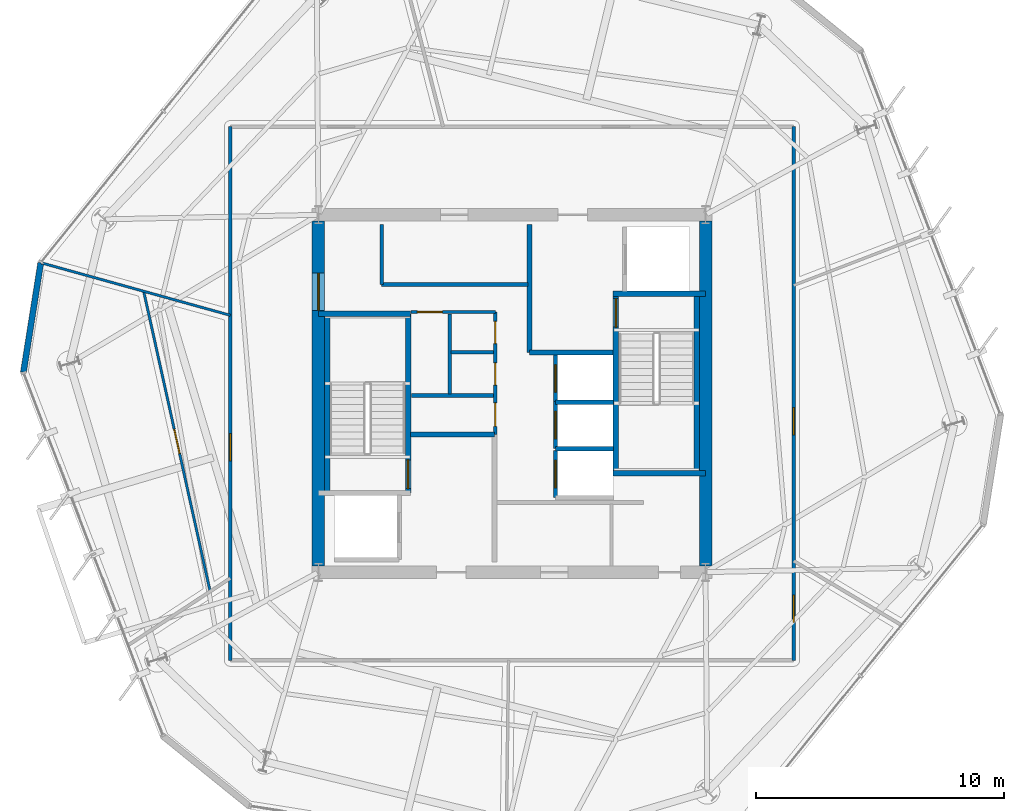
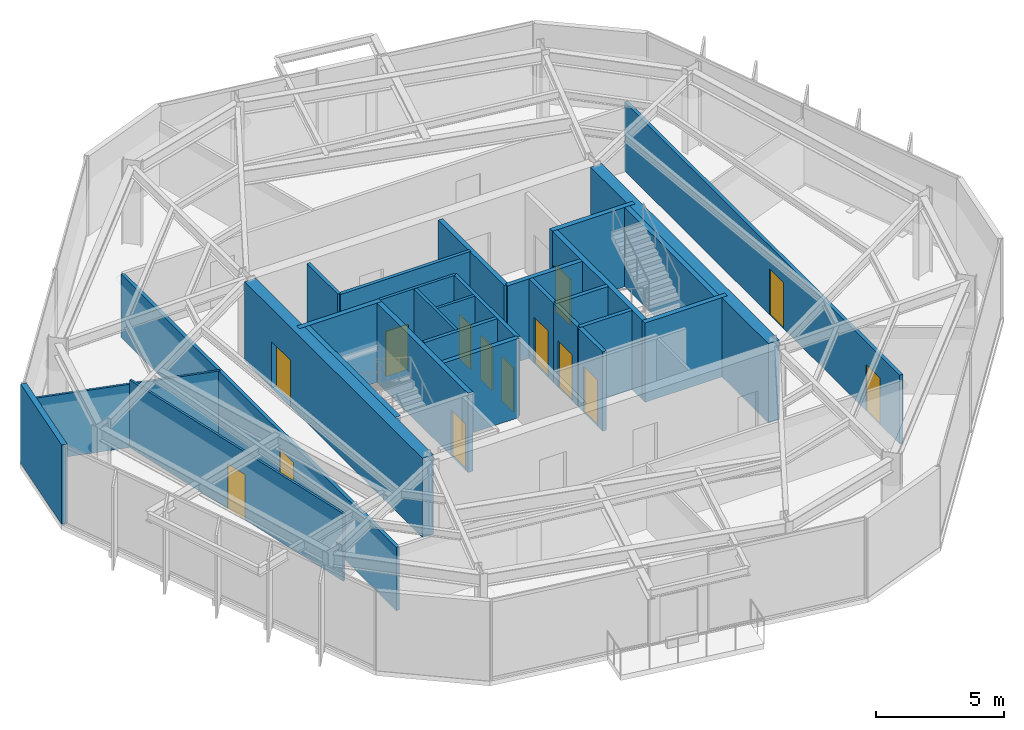
# One storey, part 7 of 11: 29 walls, 14 doors, 14 openings.
"""IFC4 building model written with IfcOpenShell, lengths in metres."""

from ifc_helpers import new_model, si_unit, direction, frame, frame_2d, origin, place, context, subcontext, project, spatial, rectangle, extrude, material, layer, layer_set, type_object, element, fill, save


model = new_model("IFC4")

# Units and contexts
model_context = context("Model", 3, precision=1e-05, world=origin(), true_north=direction((0.0, 1.0)))
body_context = subcontext(model_context, "Body", "Model", "MODEL_VIEW")
ifc_project = project(units=[si_unit("LENGTHUNIT", "METRE"), si_unit("AREAUNIT", "SQUARE_METRE"), si_unit("VOLUMEUNIT", "CUBIC_METRE"), si_unit("PLANEANGLEUNIT", "RADIAN"), si_unit("MASSUNIT", "GRAM", prefix="KILO")], contexts=[model_context])

# Site, building, storey
site_placement = place(None, origin())
site = spatial("IfcSite", under=ifc_project, at=site_placement, CompositionType="ELEMENT")
building_placement = place(site_placement, origin())
building = spatial("IfcBuilding", under=site, at=building_placement, Name="Kranzbogen Civic Tower", CompositionType="ELEMENT")
storey_placement = place(building_placement, frame((0.0, 0.0, 228.800048828125)))
storey = spatial("IfcBuildingStorey", under=building, at=storey_placement, Name="L55", CompositionType="ELEMENT", Elevation=228.800048828125)

# Walls
ifc_material_1 = material(Name="Double-Stud Acoustic Gypsum Partition")
ifc_layer_1 = layer(ifc_material_1, 0.14990234375, Name="Double-Stud Acoustic Gypsum Partition")
ifc_layer_set_1 = layer_set([ifc_layer_1], Name="Double-Stud Acoustic Gypsum Partition")
wall_type_1 = type_object("IfcWallType", Name="Acoustic Corridor and Clinical Partition 150 mm", PredefinedType="PARTITIONING", material=ifc_layer_set_1)
wall_1_placement = place(storey_placement, frame((19.75, 29.389892578125, 0.0), z_axis=(0.0, 0.0, 1.0), x_axis=(1.0, 0.0, 0.0)))
element("IfcWall", 1, at=wall_1_placement, inside=storey, type_object=wall_type_1, Name="L55 digital comms South wall", PredefinedType="PARTITIONING", context=body_context, shape_type="SweptSolid", body=[
    extrude(rectangle(XDim=5.89990234375, YDim=0.14990234375, at=frame_2d((2.949951171875, 0.0))), origin(), (0.0, 0.0, 1.0), 3.780029296875),
])
wall_2_placement = place(storey_placement, frame((19.75, 29.389892578125, 0.0), z_axis=(0.0, 0.0, 1.0), x_axis=(0.0, 1.0, 0.0)))
element("IfcWall", 2, at=wall_2_placement, inside=storey, type_object=wall_type_1, Name="L55 digital comms West wall", PredefinedType="PARTITIONING", context=body_context, shape_type="SweptSolid", body=[
    extrude(rectangle(XDim=2.41015625, YDim=0.14990234375, at=frame_2d((1.205078125, 0.0))), origin(), (0.0, 0.0, 1.0), 3.780029296875),
])

# Wall, openings, doors
wall_3_placement = place(storey_placement, frame((36.35009765625, 35.75, 0.0), z_axis=(0.0, 0.0, 1.0), x_axis=(0.0, -1.0, 0.0)))
wall_3 = element("IfcWall", 3, at=wall_3_placement, inside=storey, type_object=wall_type_1, Name="L55 corridor partition 02", PredefinedType="PARTITIONING", context=body_context, shape_type="SweptSolid", body=[
    extrude(rectangle(XDim=21.5, YDim=0.14990234375, at=frame_2d((10.75, 0.0))), origin(), (0.0, 0.0, 1.0), 3.280029296875),
])
opening_1_placement = place(wall_3_placement, frame((18.876953125, 0.0, 0.0)))
opening_1 = element("IfcOpeningElement", 4, at=opening_1_placement, cuts=wall_3, Name="Opening D-COR60", PredefinedType="OPENING", context=body_context, shape_type="SweptSolid", body=[
    extrude(rectangle(XDim=1.10009765625, YDim=2.199951171875, at=frame_2d((0.550048828125, 1.10009765625))), frame((0.0, 0.0849609375, 0.0), z_axis=(0.0, -1.0, 0.0), x_axis=(1.0, 0.0, 0.0)), (0.0, 0.0, 1.0), 0.169921875),
])
opening_2_placement = place(wall_3_placement, frame((11.318115234375, 0.0, 0.0)))
opening_2 = element("IfcOpeningElement", 5, at=opening_2_placement, cuts=wall_3, Name="Opening D-COR60", PredefinedType="OPENING", context=body_context, shape_type="SweptSolid", body=[
    extrude(rectangle(XDim=1.10009765625, YDim=2.199951171875, at=frame_2d((0.550048828125, 1.10009765625))), frame((0.0, 0.0849609375, 0.0), z_axis=(0.0, -1.0, 0.0), x_axis=(1.0, 0.0, 0.0)), (0.0, 0.0, 1.0), 0.169921875),
])
ifc_material_2 = material(Name="Oak Timber and Fire Core", Category="wood")
door_type_1 = type_object("IfcDoorType", Name="Corridor Acoustic Fire Door 1100x2200", OperationType="NOTDEFINED", PredefinedType="DOOR", material=ifc_material_2)
door_1_placement = place(opening_1_placement, origin())
door_1 = element("IfcDoor", 6, at=door_1_placement, inside=storey, type_object=door_type_1, Name="L55 Public Delegation Reception door", OperationType="SINGLE_SWING_LEFT", OverallHeight=2.199951171875, OverallWidth=1.10009765625, PredefinedType="DOOR", context=body_context, shape_type="SweptSolid", body=[
    extrude(rectangle(XDim=1.10009765625, YDim=2.199951171875, at=frame_2d((0.550048828125, 1.10009765625))), frame((0.0, 0.02490234375, 0.0), z_axis=(0.0, -1.0, 0.0), x_axis=(1.0, 0.0, 0.0)), (0.0, 0.0, 1.0), 0.050048828125),
])
fill(opening_1, door_1)
door_2_placement = place(opening_2_placement, origin())
door_2 = element("IfcDoor", 7, at=door_2_placement, inside=storey, type_object=door_type_1, Name="L55 Visitor Concierge Foyer door", OperationType="SINGLE_SWING_RIGHT", OverallHeight=2.199951171875, OverallWidth=1.10009765625, PredefinedType="DOOR", context=body_context, shape_type="SweptSolid", body=[
    extrude(rectangle(XDim=1.10009765625, YDim=2.199951171875, at=frame_2d((0.550048828125, 1.10009765625))), frame((0.0, 0.02490234375, 0.0), z_axis=(0.0, -1.0, 0.0), x_axis=(1.0, 0.0, 0.0)), (0.0, 0.0, 1.0), 0.050048828125),
])
fill(opening_2, door_2)

# Wall, opening, door
wall_4_placement = place(storey_placement, frame((13.64990234375, 14.25, 0.0), z_axis=(0.0, 0.0, 1.0), x_axis=(0.0, 1.0, 0.0)))
wall_4 = element("IfcWall", 8, at=wall_4_placement, inside=storey, type_object=wall_type_1, Name="L55 corridor partition 04", PredefinedType="PARTITIONING", context=body_context, shape_type="SweptSolid", body=[
    extrude(rectangle(XDim=21.5, YDim=0.14990234375, at=frame_2d((10.75, 0.0))), origin(), (0.0, 0.0, 1.0), 3.02001953125),
])
opening_3_placement = place(wall_4_placement, frame((8.035888671875, 0.0, 0.0)))
opening_3 = element("IfcOpeningElement", 9, at=opening_3_placement, cuts=wall_4, Name="Opening D-COR60", PredefinedType="OPENING", context=body_context, shape_type="SweptSolid", body=[
    extrude(rectangle(XDim=1.10009765625, YDim=2.199951171875, at=frame_2d((0.550048828125, 1.10009765625))), frame((0.0, 0.0849609375, 0.0), z_axis=(0.0, -1.0, 0.0), x_axis=(1.0, 0.0, 0.0)), (0.0, 0.0, 1.0), 0.169921875),
])
door_3_placement = place(opening_3_placement, origin())
door_3 = element("IfcDoor", 10, at=door_3_placement, inside=storey, type_object=door_type_1, Name="L55 Delegates Sitting Lounge door", OperationType="SINGLE_SWING_RIGHT", OverallHeight=2.199951171875, OverallWidth=1.10009765625, PredefinedType="DOOR", context=body_context, shape_type="SweptSolid", body=[
    extrude(rectangle(XDim=1.10009765625, YDim=2.199951171875, at=frame_2d((0.550048828125, 1.10009765625))), frame((0.0, 0.02490234375, 0.0), z_axis=(0.0, -1.0, 0.0), x_axis=(1.0, 0.0, 0.0)), (0.0, 0.0, 1.0), 0.050048828125),
])
fill(opening_3, door_3)

ifc_material_3 = material(Name="Insulated Metal-Stud Gypsum Partition")
ifc_layer_2 = layer(ifc_material_3, 0.125, Name="Insulated Metal-Stud Gypsum Partition")
ifc_layer_set_2 = layer_set([ifc_layer_2], Name="Insulated Metal-Stud Gypsum Partition")
wall_type_2 = type_object("IfcWallType", Name="Acoustic Inter-Room Partition 125 mm", PredefinedType="PARTITIONING", material=ifc_layer_set_2)
wall_5_placement = place(storey_placement, frame((20.919921875, 28.280029296875, 0.0), z_axis=(0.0, 0.0, 1.0), x_axis=(1.0, 0.0, 0.0)))
wall_5 = element("IfcWall", 11, at=wall_5_placement, inside=storey, type_object=wall_type_2, Name="L55 core auxiliary North wall", PredefinedType="PARTITIONING", context=body_context, shape_type="SweptSolid", body=[
    extrude(rectangle(XDim=3.405029296875, YDim=0.125, at=frame_2d((1.70263671875, 0.0))), origin(), (0.0, 0.0, 1.0), 3.780029296875),
])
opening_4_placement = place(wall_5_placement, frame((0.27001953125, 0.0, 0.0)))
opening_4 = element("IfcOpeningElement", 12, at=opening_4_placement, cuts=wall_5, Name="Opening D-RSR10", PredefinedType="OPENING", context=body_context, shape_type="SweptSolid", body=[
    extrude(rectangle(XDim=1.0, YDim=2.14990234375, at=frame_2d((0.5, 1.074951171875))), frame((0.0, 0.072509765625, 0.0), z_axis=(0.0, -1.0, 0.0), x_axis=(1.0, 0.0, 0.0)), (0.0, 0.0, 1.0), 0.14501953125),
])
door_type_2 = type_object("IfcDoorType", Name="Core Archive and Riser Fire Door 1000x2150", OperationType="NOTDEFINED", PredefinedType="DOOR", material=ifc_material_2)
door_4_placement = place(opening_4_placement, origin())
door_4 = element("IfcDoor", 13, at=door_4_placement, inside=storey, type_object=door_type_2, Name="L55 Floor Supply Store door", OperationType="SINGLE_SWING_RIGHT", OverallHeight=2.14990234375, OverallWidth=1.0, PredefinedType="DOOR", context=body_context, shape_type="SweptSolid", body=[
    extrude(rectangle(XDim=1.0, YDim=2.14990234375, at=frame_2d((0.5, 1.074951171875))), frame((0.0, 0.02490234375, 0.0), z_axis=(0.0, -1.0, 0.0), x_axis=(1.0, 0.0, 0.0)), (0.0, 0.0, 1.0), 0.050048828125),
])
fill(opening_4, door_4)

# Walls
wall_6_placement = place(storey_placement, frame((22.489990234375, 24.969970703125, 0.0), z_axis=(0.0, 0.0, 1.0), x_axis=(0.0, 1.0, 0.0)))
element("IfcWall", 14, at=wall_6_placement, inside=storey, type_object=wall_type_2, Name="L55 core auxiliary partition 3", PredefinedType="PARTITIONING", context=body_context, shape_type="SweptSolid", body=[
    extrude(rectangle(XDim=3.22998046875, YDim=0.125, at=frame_2d((1.614990234375, 0.0))), origin(), (0.0, 0.0, 1.0), 3.780029296875),
])
wall_7_placement = place(storey_placement, frame((22.550048828125, 26.659912109375, 0.0), z_axis=(0.0, 0.0, 1.0), x_axis=(1.0, 0.0, 0.0)))
element("IfcWall", 15, at=wall_7_placement, inside=storey, type_object=wall_type_2, Name="L55 core auxiliary partition 4", PredefinedType="PARTITIONING", context=body_context, shape_type="SweptSolid", body=[
    extrude(rectangle(XDim=1.699951171875, YDim=0.125, at=frame_2d((0.85009765625, 0.0))), origin(), (0.0, 0.0, 1.0), 3.780029296875),
])

# Wall, opening, door
ifc_material_4 = material(Name="Concrete C45/55", Category="concrete")
ifc_layer_3 = layer(ifc_material_4, 0.5, Name="Concrete C45/55")
ifc_layer_set_3 = layer_set([ifc_layer_3], Name="Concrete C45/55")
wall_type_3 = type_object("IfcWallType", Name="Central Core Shear Wall 500 mm", PredefinedType="SHEAR", material=ifc_layer_set_3)
wall_8_placement = place(storey_placement, frame((17.199951171875, 31.949951171875, 0.0), z_axis=(0.0, 0.0, 1.0), x_axis=(0.0, -1.0, 0.0)))
wall_8 = element("IfcWall", 16, at=wall_8_placement, inside=storey, type_object=wall_type_3, Name="L55 central core West shear wall", PredefinedType="SHEAR", context=body_context, shape_type="SweptSolid", body=[
    extrude(rectangle(XDim=13.89990234375, YDim=0.5, at=frame_2d((6.949951171875, 0.0))), origin(), (0.0, 0.0, 1.0), 3.780029296875),
])
opening_5_placement = place(wall_8_placement, frame((2.10009765625, 0.0, 0.0)))
opening_5 = element("IfcOpeningElement", 17, at=opening_5_placement, cuts=wall_8, Name="Opening D-DBL15", PredefinedType="OPENING", context=body_context, shape_type="SweptSolid", body=[
    extrude(rectangle(XDim=1.5, YDim=2.199951171875, at=frame_2d((0.75, 1.10009765625))), frame((0.0, 0.260009765625, 0.0), z_axis=(0.0, -1.0, 0.0), x_axis=(1.0, 0.0, 0.0)), (0.0, 0.0, 1.0), 0.52001953125),
])
ifc_material_5 = material(Name="Anodised Bronze and Glass", Category="glass")
door_type_3 = type_object("IfcDoorType", Name="Civic Lobby Double Door 1500x2200", OperationType="DOUBLE_DOOR_SINGLE_SWING", PredefinedType="DOOR", material=ifc_material_5)
door_5_placement = place(opening_5_placement, origin())
door_5 = element("IfcDoor", 18, at=door_5_placement, inside=storey, type_object=door_type_3, Name="L55 Central Lift Lobby West concourse door", OperationType="DOUBLE_DOOR_SINGLE_SWING", OverallHeight=2.199951171875, OverallWidth=1.5, PredefinedType="DOOR", context=body_context, shape_type="SweptSolid", body=[
    extrude(rectangle(XDim=1.5, YDim=2.199951171875, at=frame_2d((0.75, 1.10009765625))), frame((0.0, 0.02490234375, 0.0), z_axis=(0.0, -1.0, 0.0), x_axis=(1.0, 0.0, 0.0)), (0.0, 0.0, 1.0), 0.050048828125),
])
fill(opening_5, door_5)

# Wall
wall_9_placement = place(storey_placement, frame((32.800048828125, 18.050048828125, 0.0), z_axis=(0.0, 0.0, 1.0), x_axis=(0.0, 1.0, 0.0)))
element("IfcWall", 19, at=wall_9_placement, inside=storey, type_object=wall_type_3, Name="L55 central core East shear wall", PredefinedType="SHEAR", context=body_context, shape_type="SweptSolid", body=[
    extrude(rectangle(XDim=13.89990234375, YDim=0.5, at=frame_2d((6.949951171875, 0.0))), origin(), (0.0, 0.0, 1.0), 3.780029296875),
])

# Wall, opening, door
ifc_layer_4 = layer(ifc_material_4, 0.219970703125, Name="Concrete C45/55")
ifc_layer_set_4 = layer_set([ifc_layer_4], Name="Concrete C45/55")
wall_type_4 = type_object("IfcWallType", Name="Core Internal Stair Structural Wall 220 mm", PredefinedType="SOLIDWALL", material=ifc_layer_set_4)
wall_10_placement = place(storey_placement, frame((20.81005859375, 20.989990234375, 0.0), z_axis=(0.0, 0.0, 1.0), x_axis=(0.0, 1.0, 0.0)))
wall_10 = element("IfcWall", 20, at=wall_10_placement, inside=storey, type_object=wall_type_4, Name="L55 ST-T1 East structural stair wall", PredefinedType="SOLIDWALL", context=body_context, shape_type="SweptSolid", body=[
    extrude(rectangle(XDim=7.219970703125, YDim=0.219970703125, at=frame_2d((3.60986328125, 0.0))), origin(), (0.0, 0.0, 1.0), 3.780029296875),
])
opening_6_placement = place(wall_10_placement, frame((0.179931640625, 0.0, 0.0)))
opening_6 = element("IfcOpeningElement", 21, at=opening_6_placement, cuts=wall_10, Name="Opening D-ST90", PredefinedType="OPENING", context=body_context, shape_type="SweptSolid", body=[
    extrude(rectangle(XDim=1.14990234375, YDim=2.199951171875, at=frame_2d((0.574951171875, 1.10009765625))), frame((0.0, 0.1201171875, 0.0), z_axis=(0.0, -1.0, 0.0), x_axis=(1.0, 0.0, 0.0)), (0.0, 0.0, 1.0), 0.239990234375),
])
ifc_material_6 = material(Name="Steel S355", Category="steel")
door_type_4 = type_object("IfcDoorType", Name="Pressurized Stair and Lobby Fire Door 1150x2200", OperationType="NOTDEFINED", PredefinedType="DOOR", material=ifc_material_6)
door_6_placement = place(opening_6_placement, origin())
door_6 = element("IfcDoor", 22, at=door_6_placement, inside=storey, type_object=door_type_4, Name="L55 Stair ST-T1 fire door", OperationType="SINGLE_SWING_LEFT", OverallHeight=2.199951171875, OverallWidth=1.14990234375, PredefinedType="DOOR", context=body_context, shape_type="SweptSolid", body=[
    extrude(rectangle(XDim=1.14990234375, YDim=2.199951171875, at=frame_2d((0.574951171875, 1.10009765625))), frame((0.0, 0.02490234375, 0.0), z_axis=(0.0, -1.0, 0.0), x_axis=(1.0, 0.0, 0.0)), (0.0, 0.0, 1.0), 0.050048828125),
])
fill(opening_6, door_6)

# Walls
wall_11_placement = place(storey_placement, frame((17.199951171875, 28.2099609375, 0.0), z_axis=(0.0, 0.0, 1.0), x_axis=(1.0, 0.0, 0.0)))
element("IfcWall", 23, at=wall_11_placement, inside=storey, type_object=wall_type_4, Name="L55 ST-T1 North structural stair wall", PredefinedType="SOLIDWALL", context=body_context, shape_type="SweptSolid", body=[
    extrude(rectangle(XDim=3.719970703125, YDim=0.219970703125, at=frame_2d((1.85986328125, 0.0))), origin(), (0.0, 0.0, 1.0), 3.780029296875),
])
wall_12_placement = place(storey_placement, frame((17.554931640625, 28.2099609375, 0.0), z_axis=(0.0, 0.0, 1.0), x_axis=(0.0, -1.0, 0.0)))
element("IfcWall", 24, at=wall_12_placement, inside=storey, type_object=wall_type_4, Name="L55 ST-T1 West structural stair wall", PredefinedType="SOLIDWALL", context=body_context, shape_type="SweptSolid", body=[
    extrude(rectangle(XDim=7.219970703125, YDim=0.219970703125, at=frame_2d((3.60986328125, 0.0))), origin(), (0.0, 0.0, 1.0), 3.780029296875),
])

# Wall, opening, door
wall_13_placement = place(storey_placement, frame((29.18994140625, 21.7900390625, 0.0), z_axis=(0.0, 0.0, 1.0), x_axis=(0.0, 1.0, 0.0)))
wall_13 = element("IfcWall", 25, at=wall_13_placement, inside=storey, type_object=wall_type_4, Name="L55 ST-T2 West structural stair wall", PredefinedType="SOLIDWALL", context=body_context, shape_type="SweptSolid", body=[
    extrude(rectangle(XDim=7.219970703125, YDim=0.219970703125, at=frame_2d((3.60986328125, 0.0))), origin(), (0.0, 0.0, 1.0), 3.780029296875),
])
opening_7_placement = place(wall_13_placement, frame((5.8798828125, 0.0, 0.0)))
opening_7 = element("IfcOpeningElement", 26, at=opening_7_placement, cuts=wall_13, Name="Opening D-ST90", PredefinedType="OPENING", context=body_context, shape_type="SweptSolid", body=[
    extrude(rectangle(XDim=1.14990234375, YDim=2.199951171875, at=frame_2d((0.574951171875, 1.10009765625))), frame((0.0, 0.1201171875, 0.0), z_axis=(0.0, -1.0, 0.0), x_axis=(1.0, 0.0, 0.0)), (0.0, 0.0, 1.0), 0.239990234375),
])
door_7_placement = place(opening_7_placement, origin())
door_7 = element("IfcDoor", 27, at=door_7_placement, inside=storey, type_object=door_type_4, Name="L55 Stair ST-T2 fire door", OperationType="SINGLE_SWING_RIGHT", OverallHeight=2.199951171875, OverallWidth=1.14990234375, PredefinedType="DOOR", context=body_context, shape_type="SweptSolid", body=[
    extrude(rectangle(XDim=1.14990234375, YDim=2.199951171875, at=frame_2d((0.574951171875, 1.10009765625))), frame((0.0, 0.02490234375, 0.0), z_axis=(0.0, -1.0, 0.0), x_axis=(1.0, 0.0, 0.0)), (0.0, 0.0, 1.0), 0.050048828125),
])
fill(opening_7, door_7)

# Walls
for number, where, z_axis, x_axis, name in (
    (28, (29.080078125, 21.7900390625, 0.0), (0.0, 0.0, 1.0), (1.0, 0.0, 0.0), "L55 ST-T2 South structural stair wall"),
    (29, (29.080078125, 29.010009765625, 0.0), (0.0, 0.0, 1.0), (1.0, 0.0, 0.0), "L55 ST-T2 North structural stair wall"),
):
    element("IfcWall", number, at=place(storey_placement, frame(where, z_axis=z_axis, x_axis=x_axis)), inside=storey, type_object=wall_type_4, Name=name, PredefinedType="SOLIDWALL", context=body_context, shape_type="SweptSolid", body=[
        extrude(rectangle(XDim=3.719970703125, YDim=0.219970703125, at=frame_2d((1.85986328125, 0.0))), origin(), (0.0, 0.0, 1.0), 3.780029296875),
    ])
wall_14_placement = place(storey_placement, frame((32.445068359375, 29.010009765625, 0.0), z_axis=(0.0, 0.0, 1.0), x_axis=(0.0, -1.0, 0.0)))
element("IfcWall", 30, at=wall_14_placement, inside=storey, type_object=wall_type_4, Name="L55 ST-T2 East structural stair wall", PredefinedType="SOLIDWALL", context=body_context, shape_type="SweptSolid", body=[
    extrude(rectangle(XDim=7.219970703125, YDim=0.219970703125, at=frame_2d((3.60986328125, 0.0))), origin(), (0.0, 0.0, 1.0), 3.780029296875),
])
ifc_material_7 = material(Name="Demountable Aluminium and Gypsum Partition", Category="aluminium")
ifc_layer_5 = layer(ifc_material_7, 0.10009765625, Name="Demountable Aluminium and Gypsum Partition")
ifc_layer_set_5 = layer_set([ifc_layer_5], Name="Demountable Aluminium and Gypsum Partition")
wall_type_5 = type_object("IfcWallType", Name="Demountable Office Partition 100 mm", PredefinedType="MOVABLE", material=ifc_layer_set_5)
wall_15_placement = place(storey_placement, frame((13.64990234375, 28.14990234375, 0.0), z_axis=(0.0, 0.0, 1.0), x_axis=(-0.963571409142, 0.267451190843, 0.0)))
element("IfcWall", 31, at=wall_15_placement, inside=storey, type_object=wall_type_5, Name="L55 radial room partition 02", PredefinedType="MOVABLE", context=body_context, shape_type="SweptSolid", body=[
    extrude(rectangle(XDim=7.907958984375, YDim=0.10009765625, at=frame_2d((3.9541015625, 0.0))), origin(), (0.0, 0.0, 1.0), 3.02001953125),
])

# Wall, opening, door
wall_16_placement = place(storey_placement, frame((10.162109375, 29.10205078125, 0.0), z_axis=(0.0, 0.0, 1.0), x_axis=(0.216160497281, -0.976357843936, 0.0)))
wall_16 = element("IfcWall", 32, at=wall_16_placement, inside=storey, type_object=wall_type_5, Name="L55 suite chord partition 01", PredefinedType="MOVABLE", context=body_context, shape_type="SweptSolid", body=[
    extrude(rectangle(XDim=12.356201171875, YDim=0.10009765625, at=frame_2d((6.17822265625, 0.0))), origin(), (0.0, 0.0, 1.0), 3.219970703125),
])
opening_8_placement = place(wall_16_placement, frame((5.677978515625, 0.0, 0.0)))
opening_8 = element("IfcOpeningElement", 33, at=opening_8_placement, cuts=wall_16, Name="Opening D-OFC10", PredefinedType="OPENING", context=body_context, shape_type="SweptSolid", body=[
    extrude(rectangle(XDim=1.0, YDim=2.14990234375, at=frame_2d((0.5, 1.074951171875))), frame((0.0, 0.06005859375, 0.0), z_axis=(0.0, -1.0, 0.0), x_axis=(1.0, 0.0, 0.0)), (0.0, 0.0, 1.0), 0.1201171875),
])
ifc_material_8 = material(Name="Oak Timber Veneer", Category="wood")
door_type_5 = type_object("IfcDoorType", Name="Standard Office Acoustic Door 1000x2150", OperationType="NOTDEFINED", PredefinedType="DOOR", material=ifc_material_8)
door_8_placement = place(opening_8_placement, origin())
door_8 = element("IfcDoor", 34, at=door_8_placement, inside=storey, type_object=door_type_5, Name="L55 Executive Research Study door", OperationType="SINGLE_SWING_LEFT", OverallHeight=2.14990234375, OverallWidth=1.0, PredefinedType="DOOR", context=body_context, shape_type="SweptSolid", body=[
    extrude(rectangle(XDim=1.0, YDim=2.14990234375, at=frame_2d((0.5, 1.074951171875))), frame((0.0, 0.02490234375, 0.0), z_axis=(0.0, -1.0, 0.0), x_axis=(1.0, 0.0, 0.0)), (0.0, 0.0, 1.0), 0.050048828125),
])
fill(opening_8, door_8)

# Walls
ifc_material_9 = material(Name="Gypsum Fireboard and Concrete Block", Category="concrete")
ifc_layer_6 = layer(ifc_material_9, 0.199951171875, Name="Gypsum Fireboard and Concrete Block")
ifc_layer_set_6 = layer_set([ifc_layer_6], Name="Gypsum Fireboard and Concrete Block")
wall_type_6 = type_object("IfcWallType", Name="Fire-Rated Exit Passageway and Stair Wall 200 mm", PredefinedType="PARTITIONING", material=ifc_layer_set_6)
wall_17_placement = place(storey_placement, frame((20.919921875, 23.35009765625, 0.0), z_axis=(0.0, 0.0, 1.0), x_axis=(1.0, 0.0, 0.0)))
element("IfcWall", 35, at=wall_17_placement, inside=storey, type_object=wall_type_6, Name="L55 West firefighting lobby North wall", PredefinedType="PARTITIONING", context=body_context, shape_type="SweptSolid", body=[
    extrude(rectangle(XDim=3.380126953125, YDim=0.199951171875, at=frame_2d((1.68994140625, 0.0))), origin(), (0.0, 0.0, 1.0), 3.780029296875),
])
wall_18_placement = place(storey_placement, frame((25.699951171875, 26.64990234375, 0.0), z_axis=(0.0, 0.0, 1.0), x_axis=(0.0, 1.0, 0.0)))
element("IfcWall", 36, at=wall_18_placement, inside=storey, type_object=wall_type_6, Name="L55 East firefighting lobby West wall", PredefinedType="PARTITIONING", context=body_context, shape_type="SweptSolid", body=[
    extrude(rectangle(XDim=5.150146484375, YDim=0.199951171875, at=frame_2d((2.5751953125, 0.0))), origin(), (0.0, 0.0, 1.0), 3.780029296875),
])
wall_19_placement = place(storey_placement, frame((25.699951171875, 26.64990234375, 0.0), z_axis=(0.0, 0.0, 1.0), x_axis=(1.0, 0.0, 0.0)))
element("IfcWall", 37, at=wall_19_placement, inside=storey, type_object=wall_type_6, Name="L55 East firefighting lobby South wall", PredefinedType="PARTITIONING", context=body_context, shape_type="SweptSolid", body=[
    extrude(rectangle(XDim=3.380126953125, YDim=0.199951171875, at=frame_2d((1.68994140625, 0.0))), origin(), (0.0, 0.0, 1.0), 3.780029296875),
])

# Wall, opening, door
ifc_material_10 = material(Name="Gypsum Fireboard Shaftliner")
ifc_layer_7 = layer(ifc_material_10, 0.175048828125, Name="Gypsum Fireboard Shaftliner")
ifc_layer_set_7 = layer_set([ifc_layer_7], Name="Gypsum Fireboard Shaftliner")
wall_type_7 = type_object("IfcWallType", Name="Fire-Rated Lift and Service Shaft Wall 175 mm", PredefinedType="PARTITIONING", material=ifc_layer_set_7)
wall_20_placement = place(storey_placement, frame((26.75, 20.800048828125, 0.0), z_axis=(0.0, 0.0, 1.0), x_axis=(0.0, 1.0, 0.0)))
wall_20 = element("IfcWall", 38, at=wall_20_placement, inside=storey, type_object=wall_type_7, Name="L55 lift HP-01 landing wall", PredefinedType="PARTITIONING", context=body_context, shape_type="SweptSolid", body=[
    extrude(rectangle(XDim=1.89990234375, YDim=0.175048828125, at=frame_2d((0.949951171875, 0.0))), origin(), (0.0, 0.0, 1.0), 3.780029296875),
])
opening_9_placement = place(wall_20_placement, frame((0.39990234375, 0.0, 0.0)))
opening_9 = element("IfcOpeningElement", 39, at=opening_9_placement, cuts=wall_20, Name="Opening LD-HP-01", PredefinedType="OPENING", context=body_context, shape_type="SweptSolid", body=[
    extrude(rectangle(XDim=1.10009765625, YDim=2.199951171875, at=frame_2d((0.550048828125, 1.10009765625))), frame((0.0, 0.09765625, 0.0), z_axis=(0.0, -1.0, 0.0), x_axis=(1.0, 0.0, 0.0)), (0.0, 0.0, 1.0), 0.195068359375),
])
ifc_material_11 = material(Name="Pale Anodised Aluminium", Category="aluminium")
door_type_6 = type_object("IfcDoorType", Name="Passenger Lift Sliding Landing Door 1100x2200", OperationType="DOUBLE_DOOR_SLIDING", PredefinedType="DOOR", material=ifc_material_11)
door_9_placement = place(opening_9_placement, origin())
door_9 = element("IfcDoor", 40, at=door_9_placement, inside=storey, type_object=door_type_6, Name="L55 lift HP-01 sliding landing door", OperationType="DOUBLE_DOOR_SLIDING", OverallHeight=2.199951171875, OverallWidth=1.10009765625, PredefinedType="DOOR", context=body_context, shape_type="SweptSolid", body=[
    extrude(rectangle(XDim=1.10009765625, YDim=2.199951171875, at=frame_2d((0.550048828125, 1.10009765625))), frame((0.0, 0.02490234375, 0.0), z_axis=(0.0, -1.0, 0.0), x_axis=(1.0, 0.0, 0.0)), (0.0, 0.0, 1.0), 0.050048828125),
])
fill(opening_9, door_9)

wall_21_placement = place(storey_placement, frame((26.75, 22.77490234375, 0.0), z_axis=(0.0, 0.0, 1.0), x_axis=(0.0, 1.0, 0.0)))
wall_21 = element("IfcWall", 41, at=wall_21_placement, inside=storey, type_object=wall_type_7, Name="L55 lift HP-02 landing wall", PredefinedType="PARTITIONING", context=body_context, shape_type="SweptSolid", body=[
    extrude(rectangle(XDim=1.900146484375, YDim=0.175048828125, at=frame_2d((0.9501953125, 0.0))), origin(), (0.0, 0.0, 1.0), 3.780029296875),
])
opening_10_placement = place(wall_21_placement, frame((0.39990234375, 0.0, 0.0)))
opening_10 = element("IfcOpeningElement", 42, at=opening_10_placement, cuts=wall_21, Name="Opening LD-HP-02", PredefinedType="OPENING", context=body_context, shape_type="SweptSolid", body=[
    extrude(rectangle(XDim=1.10009765625, YDim=2.199951171875, at=frame_2d((0.550048828125, 1.10009765625))), frame((0.0, 0.09765625, 0.0), z_axis=(0.0, -1.0, 0.0), x_axis=(1.0, 0.0, 0.0)), (0.0, 0.0, 1.0), 0.195068359375),
])
door_10_placement = place(opening_10_placement, origin())
door_10 = element("IfcDoor", 43, at=door_10_placement, inside=storey, type_object=door_type_6, Name="L55 lift HP-02 sliding landing door", OperationType="DOUBLE_DOOR_SLIDING", OverallHeight=2.199951171875, OverallWidth=1.10009765625, PredefinedType="DOOR", context=body_context, shape_type="SweptSolid", body=[
    extrude(rectangle(XDim=1.10009765625, YDim=2.199951171875, at=frame_2d((0.550048828125, 1.10009765625))), frame((0.0, 0.02490234375, 0.0), z_axis=(0.0, -1.0, 0.0), x_axis=(1.0, 0.0, 0.0)), (0.0, 0.0, 1.0), 0.050048828125),
])
fill(opening_10, door_10)

# Wall
wall_22_placement = place(storey_placement, frame((26.75, 22.77490234375, 0.0), z_axis=(0.0, 0.0, 1.0), x_axis=(1.0, 0.0, 0.0)))
element("IfcWall", 44, at=wall_22_placement, inside=storey, type_object=wall_type_7, Name="L55 lift HP-02 side wall", PredefinedType="PARTITIONING", context=body_context, shape_type="SweptSolid", body=[
    extrude(rectangle(XDim=2.35009765625, YDim=0.175048828125, at=frame_2d((1.175048828125, 0.0))), origin(), (0.0, 0.0, 1.0), 3.780029296875),
])

# Wall, opening, door
wall_23_placement = place(storey_placement, frame((26.75, 24.64990234375, 0.0), z_axis=(0.0, 0.0, 1.0), x_axis=(0.0, 1.0, 0.0)))
wall_23 = element("IfcWall", 45, at=wall_23_placement, inside=storey, type_object=wall_type_7, Name="L55 lift HP-03 landing wall", PredefinedType="PARTITIONING", context=body_context, shape_type="SweptSolid", body=[
    extrude(rectangle(XDim=1.900146484375, YDim=0.175048828125, at=frame_2d((0.9501953125, 0.0))), origin(), (0.0, 0.0, 1.0), 3.780029296875),
])
opening_11_placement = place(wall_23_placement, frame((0.39990234375, 0.0, 0.0)))
opening_11 = element("IfcOpeningElement", 46, at=opening_11_placement, cuts=wall_23, Name="Opening LD-HP-03", PredefinedType="OPENING", context=body_context, shape_type="SweptSolid", body=[
    extrude(rectangle(XDim=1.10009765625, YDim=2.199951171875, at=frame_2d((0.550048828125, 1.10009765625))), frame((0.0, 0.09765625, 0.0), z_axis=(0.0, -1.0, 0.0), x_axis=(1.0, 0.0, 0.0)), (0.0, 0.0, 1.0), 0.195068359375),
])
door_11_placement = place(opening_11_placement, origin())
door_11 = element("IfcDoor", 47, at=door_11_placement, inside=storey, type_object=door_type_6, Name="L55 lift HP-03 sliding landing door", OperationType="DOUBLE_DOOR_SLIDING", OverallHeight=2.199951171875, OverallWidth=1.10009765625, PredefinedType="DOOR", context=body_context, shape_type="SweptSolid", body=[
    extrude(rectangle(XDim=1.10009765625, YDim=2.199951171875, at=frame_2d((0.550048828125, 1.10009765625))), frame((0.0, 0.02490234375, 0.0), z_axis=(0.0, -1.0, 0.0), x_axis=(1.0, 0.0, 0.0)), (0.0, 0.0, 1.0), 0.050048828125),
])
fill(opening_11, door_11)

# Walls
wall_24_placement = place(storey_placement, frame((26.75, 24.64990234375, 0.0), z_axis=(0.0, 0.0, 1.0), x_axis=(1.0, 0.0, 0.0)))
element("IfcWall", 48, at=wall_24_placement, inside=storey, type_object=wall_type_7, Name="L55 lift HP-03 side wall", PredefinedType="PARTITIONING", context=body_context, shape_type="SweptSolid", body=[
    extrude(rectangle(XDim=2.35009765625, YDim=0.175048828125, at=frame_2d((1.175048828125, 0.0))), origin(), (0.0, 0.0, 1.0), 3.780029296875),
])
ifc_layer_8 = layer(ifc_material_11, 0.239990234375, Name="Pale Anodised Aluminium")
ifc_layer_set_8 = layer_set([ifc_layer_8], Name="Pale Anodised Aluminium")
wall_type_8 = type_object("IfcWallType", Name="Insulated Aluminium Facade Portal Wall 240 mm", PredefinedType="STANDARD", material=ifc_layer_set_8)
wall_25_placement = place(storey_placement, frame((6.012939453125, 30.27001953125, 0.0), z_axis=(0.0, 0.0, 1.0), x_axis=(-0.156402986275, -0.987693325828, 0.0)))
element("IfcWall", 49, at=wall_25_placement, inside=storey, type_object=wall_type_8, Name="L55 chamfered corner facade spandrel 2", PredefinedType="STANDARD", context=body_context, shape_type="SweptSolid", body=[
    extrude(rectangle(XDim=4.468994140625, YDim=0.239990234375, at=frame_2d((2.234375, 0.0))), origin(), (0.0, 0.0, 1.0), 3.780029296875),
])

# Wall, openings, doors
ifc_material_12 = material(Name="Moisture-Resistant Gypsum Assembly")
ifc_layer_9 = layer(ifc_material_12, 0.159912109375, Name="Moisture-Resistant Gypsum Assembly")
ifc_layer_set_9 = layer_set([ifc_layer_9], Name="Moisture-Resistant Gypsum Assembly")
wall_type_9 = type_object("IfcWallType", Name="Sanitary and Plumbing Wet Wall 160 mm", PredefinedType="PLUMBINGWALL", material=ifc_layer_set_9)
wall_26_placement = place(storey_placement, frame((24.324951171875, 23.35009765625, 0.0), z_axis=(0.0, 0.0, 1.0), x_axis=(0.0, 1.0, 0.0)))
wall_26 = element("IfcWall", 50, at=wall_26_placement, inside=storey, type_object=wall_type_9, Name="L55 core auxiliary East wall", PredefinedType="PLUMBINGWALL", context=body_context, shape_type="SweptSolid", body=[
    extrude(rectangle(XDim=4.929931640625, YDim=0.159912109375, at=frame_2d((2.46484375, 0.0))), origin(), (0.0, 0.0, 1.0), 3.780029296875),
])
opening_12_placement = place(wall_26_placement, frame((0.324951171875, 0.0, 0.0)))
opening_12 = element("IfcOpeningElement", 51, at=opening_12_placement, cuts=wall_26, Name="Opening D-AWC95", PredefinedType="OPENING", context=body_context, shape_type="SweptSolid", body=[
    extrude(rectangle(XDim=0.949951171875, YDim=2.10009765625, at=frame_2d((0.47509765625, 1.050048828125))), frame((0.0, 0.08984375, 0.0), z_axis=(0.0, -1.0, 0.0), x_axis=(1.0, 0.0, 0.0)), (0.0, 0.0, 1.0), 0.179931640625),
])
opening_13_placement = place(wall_26_placement, frame((1.985107421875, 0.0, 0.0)))
opening_13 = element("IfcOpeningElement", 52, at=opening_13_placement, cuts=wall_26, Name="Opening D-WC90", PredefinedType="OPENING", context=body_context, shape_type="SweptSolid", body=[
    extrude(rectangle(XDim=0.89990234375, YDim=2.10009765625, at=frame_2d((0.449951171875, 1.050048828125))), frame((0.0, 0.08984375, 0.0), z_axis=(0.0, -1.0, 0.0), x_axis=(1.0, 0.0, 0.0)), (0.0, 0.0, 1.0), 0.179931640625),
])
opening_14_placement = place(wall_26_placement, frame((3.659912109375, 0.0, 0.0)))
opening_14 = element("IfcOpeningElement", 53, at=opening_14_placement, cuts=wall_26, Name="Opening D-WC90", PredefinedType="OPENING", context=body_context, shape_type="SweptSolid", body=[
    extrude(rectangle(XDim=0.89990234375, YDim=2.10009765625, at=frame_2d((0.449951171875, 1.050048828125))), frame((0.0, 0.08984375, 0.0), z_axis=(0.0, -1.0, 0.0), x_axis=(1.0, 0.0, 0.0)), (0.0, 0.0, 1.0), 0.179931640625),
])
ifc_material_13 = material(Name="Moisture-Resistant Laminate")
door_type_7 = type_object("IfcDoorType", Name="Accessible Restroom Door 950x2100", OperationType="NOTDEFINED", PredefinedType="DOOR", material=ifc_material_13)
door_12_placement = place(opening_12_placement, origin())
door_12 = element("IfcDoor", 54, at=door_12_placement, inside=storey, type_object=door_type_7, Name="L55 Accessible Restroom door", OperationType="SINGLE_SWING_LEFT", OverallHeight=2.10009765625, OverallWidth=0.949951171875, PredefinedType="DOOR", context=body_context, shape_type="SweptSolid", body=[
    extrude(rectangle(XDim=0.949951171875, YDim=2.10009765625, at=frame_2d((0.47509765625, 1.050048828125))), frame((0.0, 0.02490234375, 0.0), z_axis=(0.0, -1.0, 0.0), x_axis=(1.0, 0.0, 0.0)), (0.0, 0.0, 1.0), 0.050048828125),
])
fill(opening_12, door_12)
door_type_8 = type_object("IfcDoorType", Name="Standard Restroom and Store Door 900x2100", OperationType="NOTDEFINED", PredefinedType="DOOR", material=ifc_material_13)
door_13_placement = place(opening_13_placement, origin())
door_13 = element("IfcDoor", 55, at=door_13_placement, inside=storey, type_object=door_type_8, Name="L55 Gender-Neutral Restroom door", OperationType="SINGLE_SWING_RIGHT", OverallHeight=2.10009765625, OverallWidth=0.89990234375, PredefinedType="DOOR", context=body_context, shape_type="SweptSolid", body=[
    extrude(rectangle(XDim=0.89990234375, YDim=2.10009765625, at=frame_2d((0.449951171875, 1.050048828125))), frame((0.0, 0.02490234375, 0.0), z_axis=(0.0, -1.0, 0.0), x_axis=(1.0, 0.0, 0.0)), (0.0, 0.0, 1.0), 0.050048828125),
])
fill(opening_13, door_13)
door_14_placement = place(opening_14_placement, origin())
door_14 = element("IfcDoor", 56, at=door_14_placement, inside=storey, type_object=door_type_8, Name="L55 Floor IT Patch Closet door", OperationType="SINGLE_SWING_LEFT", OverallHeight=2.10009765625, OverallWidth=0.89990234375, PredefinedType="DOOR", context=body_context, shape_type="SweptSolid", body=[
    extrude(rectangle(XDim=0.89990234375, YDim=2.10009765625, at=frame_2d((0.449951171875, 1.050048828125))), frame((0.0, 0.02490234375, 0.0), z_axis=(0.0, -1.0, 0.0), x_axis=(1.0, 0.0, 0.0)), (0.0, 0.0, 1.0), 0.050048828125),
])
fill(opening_14, door_14)

# Wall
wall_27_placement = place(storey_placement, frame((20.949951171875, 24.909912109375, 0.0), z_axis=(0.0, 0.0, 1.0), x_axis=(1.0, 0.0, 0.0)))
element("IfcWall", 57, at=wall_27_placement, inside=storey, type_object=wall_type_9, Name="L55 core auxiliary partition 2", PredefinedType="PLUMBINGWALL", context=body_context, shape_type="SweptSolid", body=[
    extrude(rectangle(XDim=3.300048828125, YDim=0.159912109375, at=frame_2d((1.64990234375, 0.0))), origin(), (0.0, 0.0, 1.0), 3.780029296875),
])

save(model, "model.ifc")
